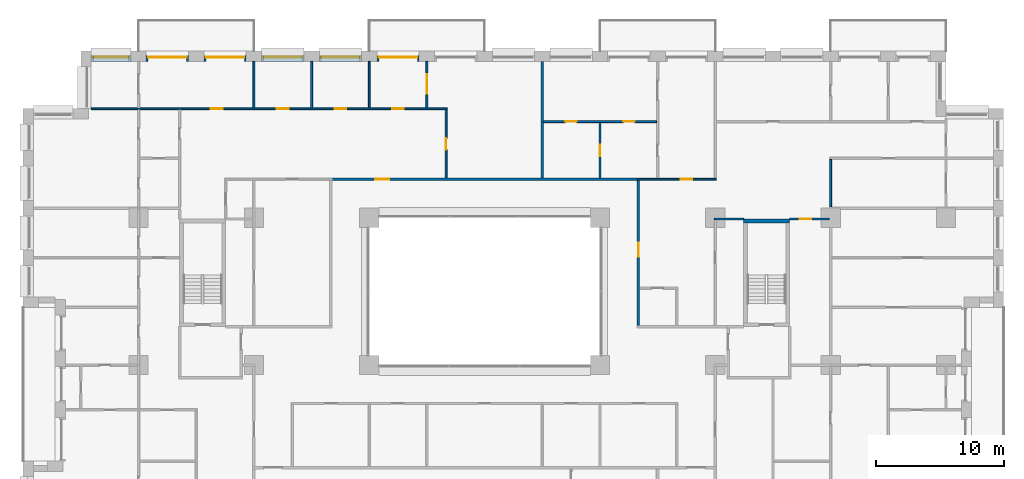
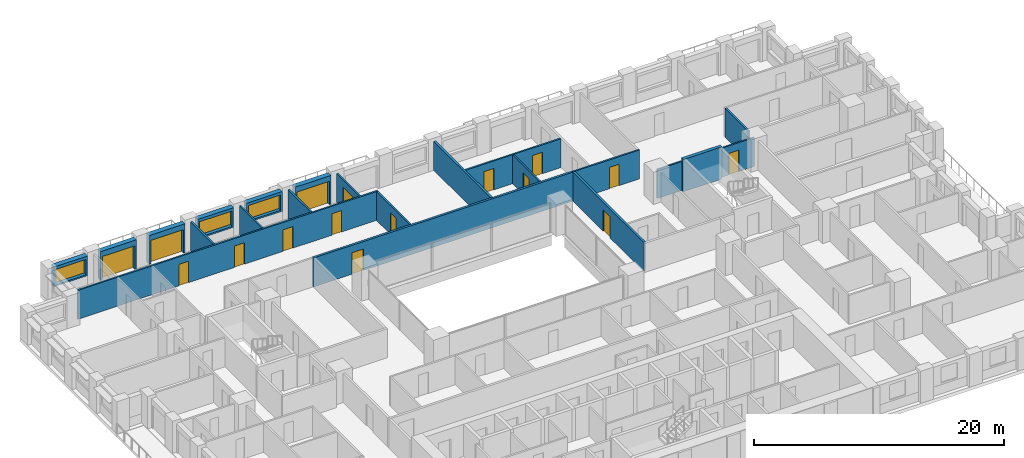
# One storey, part 15 of 20: 22 walls, 16 doors, 3 windows, 19 openings.
"""IFC4 building model written with IfcOpenShell, lengths in metres."""

import ifcopenshell
import ifcopenshell.guid

model = None  # the IFC model being written
_history = None  # IfcOwnerHistory: only IFC2X3 demands one
_inside = {}  # id of a spatial element -> (the spatial element, [elements in it])
_under = {}  # id of a project, library or spatial element -> (it, [spatial elements below it])
_declared = {}  # id of a project -> (the project, [libraries it declares])
_typed = {}  # id of a type object -> (the type object, [elements of that type])
_made_of = {}  # id of a material, layer set ... -> (it, [elements and type objects made of it])


def new_model(schema):
    """Start an empty IFC model of exactly this schema.

    Asked for "IFC4X3", IfcOpenShell would pick the latest addendum, in which some entities
    have other attributes; the version numbers below select the first issue.
    IFC2X3 requires an IfcOwnerHistory on every rooted entity: one is made here for all.
    """
    global model, _history
    if schema == "IFC4X3":
        model = ifcopenshell.file(schema_version=(4, 3, 0, 0))
    else:
        model = ifcopenshell.file(schema=schema)
    _inside.clear()
    _under.clear()
    _declared.clear()
    _typed.clear()
    _made_of.clear()
    _history = None
    if model.schema == "IFC2X3":
        org = make("IfcOrganization", Name="unknown")
        user = make(
            "IfcPersonAndOrganization",
            ThePerson=make("IfcPerson", FamilyName="unknown"),
            TheOrganization=org,
        )
        app = make(
            "IfcApplication",
            ApplicationDeveloper=org,
            Version="unknown",
            ApplicationFullName="unknown",
            ApplicationIdentifier="unknown",
        )
        _history = make(
            "IfcOwnerHistory",
            OwningUser=user,
            OwningApplication=app,
            ChangeAction="ADDED",
            CreationDate=0,
        )
    return model


def make(cls, **values):
    """One entity of the class cls with the attributes given. An attribute that is None is left unset."""
    return model.create_entity(
        cls, **{name: value for name, value in values.items() if value is not None}
    )


def rooted(cls, **values):
    """An entity with a GlobalId (a new one), such as an element, a storey or a relation."""
    return make(cls, GlobalId=ifcopenshell.guid.new(), OwnerHistory=_history, **values)


def si_unit(unit_type, name, prefix=None):
    """IfcSIUnit, for example si_unit("LENGTHUNIT", "METRE", prefix="MILLI")."""
    return make("IfcSIUnit", UnitType=unit_type, Prefix=prefix, Name=name)


def assignment(units):
    """IfcUnitAssignment: the units of a project."""
    return None if units is None else make("IfcUnitAssignment", Units=units)


def point(xyz):
    """IfcCartesianPoint."""
    return None if xyz is None else make("IfcCartesianPoint", Coordinates=xyz)


def direction(xyz):
    """IfcDirection."""
    return None if xyz is None else make("IfcDirection", DirectionRatios=xyz)


def frame(location, z_axis=None, x_axis=None):
    """IfcAxis2Placement3D, a coordinate frame: its origin and axes. An axis left out is left unset."""
    return make(
        "IfcAxis2Placement3D",
        Location=point(location),
        Axis=direction(z_axis),
        RefDirection=direction(x_axis),
    )


def frame_2d(location, x_axis=None):
    """IfcAxis2Placement2D, a coordinate frame in the plane: its origin and x axis."""
    return make(
        "IfcAxis2Placement2D", Location=point(location), RefDirection=direction(x_axis)
    )


def origin():
    """The frame at (0, 0, 0) with its axes left unset."""
    return frame((0.0, 0.0, 0.0))


def place(relative_to, where):
    """IfcLocalPlacement: puts the frame where relative to a parent placement (None: the world)."""
    return make(
        "IfcLocalPlacement", PlacementRelTo=relative_to, RelativePlacement=where
    )


def context(
    kind, dimensions, precision=None, world=None, true_north=None, identifier=None
):
    """IfcGeometricRepresentationContext, for example the 3D "Model" context."""
    return make(
        "IfcGeometricRepresentationContext",
        ContextIdentifier=identifier,
        ContextType=kind,
        CoordinateSpaceDimension=dimensions,
        Precision=precision,
        WorldCoordinateSystem=world,
        TrueNorth=true_north,
    )


def subcontext(parent, identifier, kind, view, scale=None):
    """IfcGeometricRepresentationSubContext, for example "Body" below "Model"."""
    return make(
        "IfcGeometricRepresentationSubContext",
        ContextIdentifier=identifier,
        ContextType=kind,
        ParentContext=parent,
        TargetScale=scale,
        TargetView=view,
    )


def project(units=None, contexts=None):
    """IfcProject with its units and contexts."""
    return rooted(
        "IfcProject",
        Name="project",
        RepresentationContexts=contexts,
        UnitsInContext=assignment(units),
    )


def spatial(cls, under=None, at=None, **own):
    """A site, building, storey or space (cls), placed at a placement, below another one or the project."""
    s = rooted(cls, ObjectPlacement=at, **own)
    if under is not None:
        _under.setdefault(under.id(), (under, []))[1].append(s)
    return s


def profile(cls, at=None, kind="AREA", **sizes):
    """A parametric profile (cls). Its sizes go by their IFC names, for example OverallWidth=200.0."""
    return make(cls, ProfileType=kind, Position=at, **sizes)


def rectangle(**sizes):
    """IfcRectangleProfileDef."""
    return profile("IfcRectangleProfileDef", **sizes)


def extrude(swept, where, along, depth):
    """IfcExtrudedAreaSolid: the profile swept, set in the frame where, extruded along a direction by depth."""
    return make(
        "IfcExtrudedAreaSolid",
        SweptArea=swept,
        Position=where,
        ExtrudedDirection=direction(along),
        Depth=depth,
    )


def shape(context_of_items, identifier, shape_type, items):
    """IfcShapeRepresentation: the items that make up one representation, for example the "Body"."""
    return make(
        "IfcShapeRepresentation",
        ContextOfItems=context_of_items,
        RepresentationIdentifier=identifier,
        RepresentationType=shape_type,
        Items=items,
    )


def material(Name=None, Category=None):
    """IfcMaterial."""
    return make("IfcMaterial", Name=Name, Category=Category)


def layer(
    of_material, thickness, ventilated=None, Name=None, Category=None, Priority=None
):
    """IfcMaterialLayer: one layer of a wall or slab, of a material (None: an air gap)."""
    return make(
        "IfcMaterialLayer",
        Material=of_material,
        LayerThickness=thickness,
        IsVentilated=ventilated,
        Name=Name,
        Category=Category,
        Priority=Priority,
    )


def layer_set(layers, Name=None):
    """IfcMaterialLayerSet."""
    return make("IfcMaterialLayerSet", MaterialLayers=layers, LayerSetName=Name)


def made_of(thing, what):
    """Note that an element or type object is made of a material, layer set ...; save() writes the relation."""
    if what is not None:
        _made_of.setdefault(what.id(), (what, []))[1].append(thing)
    return thing


def type_object(cls, material=None, **own):
    """A type object (cls), such as IfcWallType, which elements share."""
    return made_of(rooted(cls, **own), material)


def element(
    cls,
    number,
    at=None,
    inside=None,
    cuts=None,
    type_object=None,
    material=None,
    context=None,
    identifier="Body",
    shape_type=None,
    held_by="IfcProductDefinitionShape",
    body=None,
    shapes=None,
    **own,
):
    """One element of the class cls, such as IfcWall. Its Tag is "e" and its number.

    at: its placement. inside: the storey or other place that contains it. cuts: it is an
    opening in that element (IfcRelVoidsElement). A single representation is given by context,
    identifier, shape_type and body (its items); several are given by shapes. held_by: the class
    of the entity that holds the representations. save() writes the other relations.
    """
    e = rooted(cls, Tag="e%d" % number, ObjectPlacement=at, **own)
    if body is not None:
        shapes = [shape(context, identifier, shape_type, body)]
    if shapes is not None:
        e.Representation = make(held_by, Representations=shapes)
    if inside is not None:
        _inside.setdefault(inside.id(), (inside, []))[1].append(e)
    if cuts is not None:
        rooted(
            "IfcRelVoidsElement", RelatingBuildingElement=cuts, RelatedOpeningElement=e
        )
    if type_object is not None:
        _typed.setdefault(type_object.id(), (type_object, []))[1].append(e)
    return made_of(e, material)


def fill(opening, filler):
    """IfcRelFillsElement: the door or window that sits in an opening."""
    return rooted(
        "IfcRelFillsElement",
        RelatingOpeningElement=opening,
        RelatedBuildingElement=filler,
    )


def aggregate(whole, parts):
    """IfcRelAggregates: a whole, such as a stair, and the parts it consists of."""
    return rooted("IfcRelAggregates", RelatingObject=whole, RelatedObjects=parts)


def save(model, path):
    """Write the relations noted so far, then the file.

    IfcRelAggregates (storeys below a building ...), IfcRelContainedInSpatialStructure (elements
    in a storey), IfcRelDefinesByType, IfcRelAssociatesMaterial and IfcRelDeclares: one each for
    every whole, place, type object, material and project.
    """
    for whole, parts in _under.values():
        aggregate(whole, parts)
    for where, things in _inside.values():
        rooted(
            "IfcRelContainedInSpatialStructure",
            RelatedElements=things,
            RelatingStructure=where,
        )
    for kind, things in _typed.values():
        rooted("IfcRelDefinesByType", RelatedObjects=things, RelatingType=kind)
    for what, things in _made_of.values():
        rooted("IfcRelAssociatesMaterial", RelatedObjects=things, RelatingMaterial=what)
    for by, libraries in _declared.values():
        rooted("IfcRelDeclares", RelatingContext=by, RelatedDefinitions=libraries)
    model.write(path)


model = new_model("IFC4")

# Units and contexts
model_context = context("Model", 3, precision=1e-05, world=origin(), true_north=direction((0.0, 1.0)))
body_context = subcontext(model_context, "Body", "Model", "MODEL_VIEW")
ifc_project = project(units=[si_unit("LENGTHUNIT", "METRE"), si_unit("AREAUNIT", "SQUARE_METRE"), si_unit("VOLUMEUNIT", "CUBIC_METRE"), si_unit("PLANEANGLEUNIT", "RADIAN"), si_unit("MASSUNIT", "GRAM", prefix="KILO")], contexts=[model_context])

# Site, building, storey
site_placement = place(None, origin())
site = spatial("IfcSite", under=ifc_project, at=site_placement, CompositionType="ELEMENT")
building_placement = place(site_placement, origin())
building = spatial("IfcBuilding", under=site, at=building_placement, Name="Brigalow Station Residences", CompositionType="ELEMENT")
storey_placement = place(building_placement, frame((0.0, 0.0, 44.699951171875)))
storey = spatial("IfcBuildingStorey", under=building, at=storey_placement, Name="L12", CompositionType="ELEMENT", Elevation=44.699951171875)

# Wall, opening, door
ifc_material_1 = material(Name="Clay brick masonry", Category="masonry")
ifc_layer_1 = layer(ifc_material_1, 0.449951171875)
ifc_layer_set_1 = layer_set([ifc_layer_1], Name="BRICK INFILL WALL 450")
wall_type_1 = type_object("IfcWallType", Name="BRICK INFILL WALL 450", PredefinedType="SOLIDWALL", material=ifc_layer_set_1)
wall_1_placement = place(storey_placement, frame((30.89990234375, 47.925048828125, 0.0), z_axis=(0.0, 0.0, 1.0), x_axis=(-1.0, 0.0, 0.0)))
wall_1 = element("IfcWall", 1, at=wall_1_placement, inside=storey, type_object=wall_type_1, Name="L12/ewall/W-L12-34", PredefinedType="SOLIDWALL", context=body_context, shape_type="SweptSolid", body=[
    extrude(rectangle(XDim=3.2998046875, YDim=0.449951171875, at=frame_2d((1.64990234375, 0.0))), origin(), (0.0, 0.0, 1.0), 2.830078125),
])
opening_1_placement = place(wall_1_placement, frame((0.14990234375, 0.0, 0.0)))
opening_1 = element("IfcOpeningElement", 2, at=opening_1_placement, cuts=wall_1, Name="Opening D-B3000", PredefinedType="OPENING", context=body_context, shape_type="SweptSolid", body=[
    extrude(rectangle(XDim=3.0, YDim=2.300048828125, at=frame_2d((1.5, 1.14990234375))), frame((0.0, 0.23486328125, 0.0), z_axis=(0.0, -1.0, 0.0), x_axis=(1.0, 0.0, 0.0)), (0.0, 0.0, 1.0), 0.469970703125),
])
ifc_material_2 = material(Name="Anodised aluminium frame with double glazing", Category="aluminium")
door_type_1 = type_object("IfcDoorType", Name="BALCONY SLIDING DOOR 3000x2300", OperationType="SLIDING_TO_LEFT", PredefinedType="DOOR", material=ifc_material_2)
door_1_placement = place(opening_1_placement, origin())
door_1 = element("IfcDoor", 3, at=door_1_placement, inside=storey, type_object=door_type_1, Name="L12/balcony-door/W-L12-34", OperationType="SLIDING_TO_LEFT", OverallHeight=2.300048828125, OverallWidth=3.0, PredefinedType="DOOR", context=body_context, shape_type="SweptSolid", body=[
    extrude(rectangle(XDim=3.0, YDim=2.300048828125, at=frame_2d((1.5, 1.14990234375))), frame((0.0, -0.06982421875, 0.0), z_axis=(0.0, -1.0, 0.0), x_axis=(1.0, 0.0, 0.0)), (0.0, 0.0, 1.0), 0.050048828125),
])
fill(opening_1, door_1)

# Wall, opening, window
wall_2_placement = place(storey_placement, frame((26.39990234375, 47.925048828125, 0.900146484375), z_axis=(0.0, 0.0, 1.0), x_axis=(-1.0, 0.0, 0.0)))
wall_2 = element("IfcWall", 4, at=wall_2_placement, inside=storey, type_object=wall_type_1, Name="L12/ewall/W-L12-35", PredefinedType="SOLIDWALL", context=body_context, shape_type="SweptSolid", body=[
    extrude(rectangle(XDim=3.2998046875, YDim=0.449951171875, at=frame_2d((1.64990234375, 0.0))), origin(), (0.0, 0.0, 1.0), 1.929931640625),
])
opening_2_placement = place(wall_2_placement, frame((0.14990234375, 0.0, 0.14990234375)))
opening_2 = element("IfcOpeningElement", 5, at=opening_2_placement, cuts=wall_2, Name="Opening WT-2", PredefinedType="OPENING", context=body_context, shape_type="SweptSolid", body=[
    extrude(rectangle(XDim=3.0, YDim=1.5, at=frame_2d((1.5, 0.75))), frame((0.0, 0.23486328125, 0.0), z_axis=(0.0, -1.0, 0.0), x_axis=(1.0, 0.0, 0.0)), (0.0, 0.0, 1.0), 0.469970703125),
])
ifc_material_3 = material(Name="Anodised aluminium frame with double glazing", Category="aluminium")
window_type_1 = type_object("IfcWindowType", Name="WINDOW 3000x1500", PartitioningType="SINGLE_PANEL", PredefinedType="WINDOW", material=ifc_material_3)
window_1_placement = place(opening_2_placement, origin())
window_1 = element("IfcWindow", 6, at=window_1_placement, inside=storey, type_object=window_type_1, Name="L12/window/W-L12-35", OverallHeight=1.5, OverallWidth=3.0, PartitioningType="SINGLE_PANEL", PredefinedType="WINDOW", context=body_context, shape_type="SweptSolid", body=[
    extrude(rectangle(XDim=3.0, YDim=1.5, at=frame_2d((1.5, 0.75))), frame((0.0, -0.06494140625, 0.0), z_axis=(0.0, -1.0, 0.0), x_axis=(1.0, 0.0, 0.0)), (0.0, 0.0, 1.0), 0.06005859375),
])
fill(opening_2, window_1)

wall_3_placement = place(storey_placement, frame((21.89990234375, 47.925048828125, 0.900146484375), z_axis=(0.0, 0.0, 1.0), x_axis=(-1.0, 0.0, 0.0)))
wall_3 = element("IfcWall", 7, at=wall_3_placement, inside=storey, type_object=wall_type_1, Name="L12/ewall/W-L12-36", PredefinedType="SOLIDWALL", context=body_context, shape_type="SweptSolid", body=[
    extrude(rectangle(XDim=3.2998046875, YDim=0.449951171875, at=frame_2d((1.64990234375, 0.0))), origin(), (0.0, 0.0, 1.0), 1.929931640625),
])
opening_3_placement = place(wall_3_placement, frame((0.14990234375, 0.0, 0.14990234375)))
opening_3 = element("IfcOpeningElement", 8, at=opening_3_placement, cuts=wall_3, Name="Opening WT-2", PredefinedType="OPENING", context=body_context, shape_type="SweptSolid", body=[
    extrude(rectangle(XDim=3.0, YDim=1.5, at=frame_2d((1.5, 0.75))), frame((0.0, 0.23486328125, 0.0), z_axis=(0.0, -1.0, 0.0), x_axis=(1.0, 0.0, 0.0)), (0.0, 0.0, 1.0), 0.469970703125),
])
window_2_placement = place(opening_3_placement, origin())
window_2 = element("IfcWindow", 9, at=window_2_placement, inside=storey, type_object=window_type_1, Name="L12/window/W-L12-36", OverallHeight=1.5, OverallWidth=3.0, PartitioningType="SINGLE_PANEL", PredefinedType="WINDOW", context=body_context, shape_type="SweptSolid", body=[
    extrude(rectangle(XDim=3.0, YDim=1.5, at=frame_2d((1.5, 0.75))), frame((0.0, -0.06494140625, 0.0), z_axis=(0.0, -1.0, 0.0), x_axis=(1.0, 0.0, 0.0)), (0.0, 0.0, 1.0), 0.06005859375),
])
fill(opening_3, window_2)

# Wall, opening, door
wall_4_placement = place(storey_placement, frame((17.39990234375, 47.925048828125, 0.0), z_axis=(0.0, 0.0, 1.0), x_axis=(-1.0, 0.0, 0.0)))
wall_4 = element("IfcWall", 10, at=wall_4_placement, inside=storey, type_object=wall_type_1, Name="L12/ewall/W-L12-37", PredefinedType="SOLIDWALL", context=body_context, shape_type="SweptSolid", body=[
    extrude(rectangle(XDim=3.2998046875, YDim=0.449951171875, at=frame_2d((1.64990234375, 0.0))), origin(), (0.0, 0.0, 1.0), 2.830078125),
])
opening_4_placement = place(wall_4_placement, frame((0.14990234375, 0.0, 0.0)))
opening_4 = element("IfcOpeningElement", 11, at=opening_4_placement, cuts=wall_4, Name="Opening D-B3000", PredefinedType="OPENING", context=body_context, shape_type="SweptSolid", body=[
    extrude(rectangle(XDim=3.0, YDim=2.300048828125, at=frame_2d((1.5, 1.14990234375))), frame((0.0, 0.23486328125, 0.0), z_axis=(0.0, -1.0, 0.0), x_axis=(1.0, 0.0, 0.0)), (0.0, 0.0, 1.0), 0.469970703125),
])
door_2_placement = place(opening_4_placement, origin())
door_2 = element("IfcDoor", 12, at=door_2_placement, inside=storey, type_object=door_type_1, Name="L12/balcony-door/W-L12-37", OperationType="SLIDING_TO_LEFT", OverallHeight=2.300048828125, OverallWidth=3.0, PredefinedType="DOOR", context=body_context, shape_type="SweptSolid", body=[
    extrude(rectangle(XDim=3.0, YDim=2.300048828125, at=frame_2d((1.5, 1.14990234375))), frame((0.0, -0.06982421875, 0.0), z_axis=(0.0, -1.0, 0.0), x_axis=(1.0, 0.0, 0.0)), (0.0, 0.0, 1.0), 0.050048828125),
])
fill(opening_4, door_2)

wall_5_placement = place(storey_placement, frame((12.89990234375, 47.925048828125, 0.0), z_axis=(0.0, 0.0, 1.0), x_axis=(-1.0, 0.0, 0.0)))
wall_5 = element("IfcWall", 13, at=wall_5_placement, inside=storey, type_object=wall_type_1, Name="L12/ewall/W-L12-38", PredefinedType="SOLIDWALL", context=body_context, shape_type="SweptSolid", body=[
    extrude(rectangle(XDim=3.2998046875, YDim=0.449951171875, at=frame_2d((1.64990234375, 0.0))), origin(), (0.0, 0.0, 1.0), 2.830078125),
])
opening_5_placement = place(wall_5_placement, frame((0.14990234375, 0.0, 0.0)))
opening_5 = element("IfcOpeningElement", 14, at=opening_5_placement, cuts=wall_5, Name="Opening D-B3000", PredefinedType="OPENING", context=body_context, shape_type="SweptSolid", body=[
    extrude(rectangle(XDim=3.0, YDim=2.300048828125, at=frame_2d((1.5, 1.14990234375))), frame((0.0, 0.23486328125, 0.0), z_axis=(0.0, -1.0, 0.0), x_axis=(1.0, 0.0, 0.0)), (0.0, 0.0, 1.0), 0.469970703125),
])
door_3_placement = place(opening_5_placement, origin())
door_3 = element("IfcDoor", 15, at=door_3_placement, inside=storey, type_object=door_type_1, Name="L12/balcony-door/W-L12-38", OperationType="SLIDING_TO_LEFT", OverallHeight=2.300048828125, OverallWidth=3.0, PredefinedType="DOOR", context=body_context, shape_type="SweptSolid", body=[
    extrude(rectangle(XDim=3.0, YDim=2.300048828125, at=frame_2d((1.5, 1.14990234375))), frame((0.0, -0.06982421875, 0.0), z_axis=(0.0, -1.0, 0.0), x_axis=(1.0, 0.0, 0.0)), (0.0, 0.0, 1.0), 0.050048828125),
])
fill(opening_5, door_3)

# Wall, opening, window
wall_6_placement = place(storey_placement, frame((8.39990234375, 47.925048828125, 0.900146484375), z_axis=(0.0, 0.0, 1.0), x_axis=(-1.0, 0.0, 0.0)))
wall_6 = element("IfcWall", 16, at=wall_6_placement, inside=storey, type_object=wall_type_1, Name="L12/ewall/W-L12-39", PredefinedType="SOLIDWALL", context=body_context, shape_type="SweptSolid", body=[
    extrude(rectangle(XDim=3.099853515625, YDim=0.449951171875, at=frame_2d((1.5498046875, 0.0))), origin(), (0.0, 0.0, 1.0), 1.929931640625),
])
opening_6_placement = place(wall_6_placement, frame((0.175048828125, 0.0, 0.14990234375)))
opening_6 = element("IfcOpeningElement", 17, at=opening_6_placement, cuts=wall_6, Name="Opening WT-3", PredefinedType="OPENING", context=body_context, shape_type="SweptSolid", body=[
    extrude(rectangle(XDim=2.75, YDim=1.5, at=frame_2d((1.375, 0.75))), frame((0.0, 0.23486328125, 0.0), z_axis=(0.0, -1.0, 0.0), x_axis=(1.0, 0.0, 0.0)), (0.0, 0.0, 1.0), 0.469970703125),
])
ifc_material_4 = material(Name="Anodised aluminium frame with double glazing", Category="aluminium")
window_type_2 = type_object("IfcWindowType", Name="WINDOW 2750x1500", PartitioningType="SINGLE_PANEL", PredefinedType="WINDOW", material=ifc_material_4)
window_3_placement = place(opening_6_placement, origin())
window_3 = element("IfcWindow", 18, at=window_3_placement, inside=storey, type_object=window_type_2, Name="L12/window/W-L12-39", OverallHeight=1.5, OverallWidth=2.75, PartitioningType="SINGLE_PANEL", PredefinedType="WINDOW", context=body_context, shape_type="SweptSolid", body=[
    extrude(rectangle(XDim=2.75, YDim=1.5, at=frame_2d((1.375, 0.75))), frame((0.0, -0.06494140625, 0.0), z_axis=(0.0, -1.0, 0.0), x_axis=(1.0, 0.0, 0.0)), (0.0, 0.0, 1.0), 0.06005859375),
])
fill(opening_6, window_3)

# Wall
ifc_material_5 = material(Name="Concrete C80", Category="concrete")
ifc_layer_2 = layer(ifc_material_5, 0.300048828125)
ifc_layer_set_2 = layer_set([ifc_layer_2], Name="CORE SHEAR WALL 300 C80")
wall_type_2 = type_object("IfcWallType", Name="CORE SHEAR WALL 300 C80", PredefinedType="SHEAR", material=ifc_layer_set_2)
wall_7_placement = place(storey_placement, frame((56.199951171875, 35.25, 0.0), z_axis=(0.0, 0.0, 1.0), x_axis=(1.0, 0.0, 0.0)))
element("IfcWall", 19, at=wall_7_placement, inside=storey, type_object=wall_type_2, Name="CORE WALL ST-S3-N L12", PredefinedType="SHEAR", context=body_context, shape_type="SweptSolid", body=[
    extrude(rectangle(XDim=3.60009765625, YDim=0.300048828125, at=frame_2d((1.800048828125, 0.0))), origin(), (0.0, 0.0, 1.0), 3.150146484375),
])

# Wall, opening, door
ifc_material_6 = material(Name="Plasterboard on steel stud partition", Category="steel")
ifc_layer_3 = layer(ifc_material_6, 0.14990234375)
ifc_layer_set_3 = layer_set([ifc_layer_3], Name="FLAT PARTITION 150")
wall_type_3 = type_object("IfcWallType", Name="FLAT PARTITION 150", PredefinedType="PARTITIONING", material=ifc_layer_set_3)
wall_8_placement = place(storey_placement, frame((47.89990234375, 38.5, 0.0), z_axis=(0.0, 0.0, 1.0), x_axis=(1.0, 0.0, 0.0)))
wall_8 = element("IfcWall", 20, at=wall_8_placement, inside=storey, type_object=wall_type_3, Name="PW-1C10", PredefinedType="PARTITIONING", context=body_context, shape_type="SweptSolid", body=[
    extrude(rectangle(XDim=6.175048828125, YDim=0.14990234375, at=frame_2d((3.08740234375, 0.0))), origin(), (0.0, 0.0, 1.0), 2.830078125),
])
opening_7_placement = place(wall_8_placement, frame((3.39990234375, 0.0, 0.0)))
opening_7 = element("IfcOpeningElement", 21, at=opening_7_placement, cuts=wall_8, Name="Opening D-1C39", PredefinedType="OPENING", context=body_context, shape_type="SweptSolid", body=[
    extrude(rectangle(XDim=0.89990234375, YDim=2.10009765625, at=frame_2d((0.449951171875, 1.050048828125))), frame((0.0, 0.0849609375, 0.0), z_axis=(0.0, -1.0, 0.0), x_axis=(1.0, 0.0, 0.0)), (0.0, 0.0, 1.0), 0.169921875),
])
ifc_material_7 = material(Name="Solid-core timber door leaf", Category="wood")
door_type_2 = type_object("IfcDoorType", Name="INTERNAL DOOR 900 x 2100", OperationType="SINGLE_SWING_LEFT", PredefinedType="DOOR", material=ifc_material_7)
door_4_placement = place(opening_7_placement, origin())
door_4 = element("IfcDoor", 22, at=door_4_placement, inside=storey, type_object=door_type_2, Name="D-1C39", OperationType="SINGLE_SWING_RIGHT", OverallHeight=2.10009765625, OverallWidth=0.89990234375, PredefinedType="DOOR", context=body_context, shape_type="SweptSolid", body=[
    extrude(rectangle(XDim=0.89990234375, YDim=2.10009765625, at=frame_2d((0.449951171875, 1.050048828125))), frame((0.0, 0.02490234375, 0.0), z_axis=(0.0, -1.0, 0.0), x_axis=(1.0, 0.0, 0.0)), (0.0, 0.0, 1.0), 0.050048828125),
])
fill(opening_7, door_4)

# Wall, openings, doors
wall_9_placement = place(storey_placement, frame((5.300048828125, 44.0, 0.0), z_axis=(0.0, 0.0, 1.0), x_axis=(1.0, 0.0, 0.0)))
wall_9 = element("IfcWall", 23, at=wall_9_placement, inside=storey, type_object=wall_type_3, Name="PW-1C27", PredefinedType="PARTITIONING", context=body_context, shape_type="SweptSolid", body=[
    extrude(rectangle(XDim=27.77490234375, YDim=0.14990234375, at=frame_2d((13.887451171875, 0.0))), origin(), (0.0, 0.0, 1.0), 2.830078125),
])
opening_8_placement = place(wall_9_placement, frame((14.5, 0.0, 0.0)))
opening_8 = element("IfcOpeningElement", 24, at=opening_8_placement, cuts=wall_9, Name="Opening D-1C18", PredefinedType="OPENING", context=body_context, shape_type="SweptSolid", body=[
    extrude(rectangle(XDim=0.89990234375, YDim=2.10009765625, at=frame_2d((0.449951171875, 1.050048828125))), frame((0.0, 0.0849609375, 0.0), z_axis=(0.0, -1.0, 0.0), x_axis=(1.0, 0.0, 0.0)), (0.0, 0.0, 1.0), 0.169921875),
])
opening_9_placement = place(wall_9_placement, frame((19.0, 0.0, 0.0)))
opening_9 = element("IfcOpeningElement", 25, at=opening_9_placement, cuts=wall_9, Name="Opening D-1C19", PredefinedType="OPENING", context=body_context, shape_type="SweptSolid", body=[
    extrude(rectangle(XDim=0.89990234375, YDim=2.10009765625, at=frame_2d((0.449951171875, 1.050048828125))), frame((0.0, 0.0849609375, 0.0), z_axis=(0.0, -1.0, 0.0), x_axis=(1.0, 0.0, 0.0)), (0.0, 0.0, 1.0), 0.169921875),
])
opening_10_placement = place(wall_9_placement, frame((9.35009765625, 0.0, 0.0)))
opening_10 = element("IfcOpeningElement", 26, at=opening_10_placement, cuts=wall_9, Name="Opening D-1C20", PredefinedType="OPENING", context=body_context, shape_type="SweptSolid", body=[
    extrude(rectangle(XDim=0.89990234375, YDim=2.10009765625, at=frame_2d((0.449951171875, 1.050048828125))), frame((0.0, 0.0849609375, 0.0), z_axis=(0.0, -1.0, 0.0), x_axis=(1.0, 0.0, 0.0)), (0.0, 0.0, 1.0), 0.169921875),
])
opening_11_placement = place(wall_9_placement, frame((23.5, 0.0, 0.0)))
opening_11 = element("IfcOpeningElement", 27, at=opening_11_placement, cuts=wall_9, Name="Opening D-1C29", PredefinedType="OPENING", context=body_context, shape_type="SweptSolid", body=[
    extrude(rectangle(XDim=0.89990234375, YDim=2.10009765625, at=frame_2d((0.449951171875, 1.050048828125))), frame((0.0, 0.0849609375, 0.0), z_axis=(0.0, -1.0, 0.0), x_axis=(1.0, 0.0, 0.0)), (0.0, 0.0, 1.0), 0.169921875),
])
door_5_placement = place(opening_8_placement, origin())
door_5 = element("IfcDoor", 28, at=door_5_placement, inside=storey, type_object=door_type_2, Name="D-1C18", OperationType="SINGLE_SWING_LEFT", OverallHeight=2.10009765625, OverallWidth=0.89990234375, PredefinedType="DOOR", context=body_context, shape_type="SweptSolid", body=[
    extrude(rectangle(XDim=0.89990234375, YDim=2.10009765625, at=frame_2d((0.449951171875, 1.050048828125))), frame((0.0, 0.02490234375, 0.0), z_axis=(0.0, -1.0, 0.0), x_axis=(1.0, 0.0, 0.0)), (0.0, 0.0, 1.0), 0.050048828125),
])
fill(opening_8, door_5)
door_6_placement = place(opening_9_placement, origin())
door_6 = element("IfcDoor", 29, at=door_6_placement, inside=storey, type_object=door_type_2, Name="D-1C19", OperationType="SINGLE_SWING_RIGHT", OverallHeight=2.10009765625, OverallWidth=0.89990234375, PredefinedType="DOOR", context=body_context, shape_type="SweptSolid", body=[
    extrude(rectangle(XDim=0.89990234375, YDim=2.10009765625, at=frame_2d((0.449951171875, 1.050048828125))), frame((0.0, 0.02490234375, 0.0), z_axis=(0.0, -1.0, 0.0), x_axis=(1.0, 0.0, 0.0)), (0.0, 0.0, 1.0), 0.050048828125),
])
fill(opening_9, door_6)
door_7_placement = place(opening_10_placement, origin())
door_7 = element("IfcDoor", 30, at=door_7_placement, inside=storey, type_object=door_type_2, Name="D-1C20", OperationType="SINGLE_SWING_RIGHT", OverallHeight=2.10009765625, OverallWidth=0.89990234375, PredefinedType="DOOR", context=body_context, shape_type="SweptSolid", body=[
    extrude(rectangle(XDim=0.89990234375, YDim=2.10009765625, at=frame_2d((0.449951171875, 1.050048828125))), frame((0.0, 0.02490234375, 0.0), z_axis=(0.0, -1.0, 0.0), x_axis=(1.0, 0.0, 0.0)), (0.0, 0.0, 1.0), 0.050048828125),
])
fill(opening_10, door_7)
door_8_placement = place(opening_11_placement, origin())
door_8 = element("IfcDoor", 31, at=door_8_placement, inside=storey, type_object=door_type_2, Name="D-1C29", OperationType="SINGLE_SWING_RIGHT", OverallHeight=2.10009765625, OverallWidth=0.89990234375, PredefinedType="DOOR", context=body_context, shape_type="SweptSolid", body=[
    extrude(rectangle(XDim=0.89990234375, YDim=2.10009765625, at=frame_2d((0.449951171875, 1.050048828125))), frame((0.0, 0.02490234375, 0.0), z_axis=(0.0, -1.0, 0.0), x_axis=(1.0, 0.0, 0.0)), (0.0, 0.0, 1.0), 0.050048828125),
])
fill(opening_11, door_8)

# Wall
wall_10_placement = place(storey_placement, frame((53.925048828125, 35.39990234375, 0.0), z_axis=(0.0, 0.0, 1.0), x_axis=(1.0, 0.0, 0.0)))
element("IfcWall", 32, at=wall_10_placement, inside=storey, type_object=wall_type_3, Name="PW-1C30", PredefinedType="PARTITIONING", context=body_context, shape_type="SweptSolid", body=[
    extrude(rectangle(XDim=2.27490234375, YDim=0.14990234375, at=frame_2d((1.137451171875, 0.0))), origin(), (0.0, 0.0, 1.0), 2.830078125),
])

# Wall, opening, door
wall_11_placement = place(storey_placement, frame((59.800048828125, 35.39990234375, 0.0), z_axis=(0.0, 0.0, 1.0), x_axis=(1.0, 0.0, 0.0)))
wall_11 = element("IfcWall", 33, at=wall_11_placement, inside=storey, type_object=wall_type_3, Name="PW-1C31", PredefinedType="PARTITIONING", context=body_context, shape_type="SweptSolid", body=[
    extrude(rectangle(XDim=3.099853515625, YDim=0.14990234375, at=frame_2d((1.5498046875, 0.0))), origin(), (0.0, 0.0, 1.0), 2.830078125),
])
opening_12_placement = place(wall_11_placement, frame((0.77490234375, 0.0, 0.0)))
opening_12 = element("IfcOpeningElement", 34, at=opening_12_placement, cuts=wall_11, Name="Opening D-1C44", PredefinedType="OPENING", context=body_context, shape_type="SweptSolid", body=[
    extrude(rectangle(XDim=0.89990234375, YDim=2.10009765625, at=frame_2d((0.449951171875, 1.050048828125))), frame((0.0, 0.0849609375, 0.0), z_axis=(0.0, -1.0, 0.0), x_axis=(1.0, 0.0, 0.0)), (0.0, 0.0, 1.0), 0.169921875),
])
door_9_placement = place(opening_12_placement, frame((0.89990234375, 0.0, 0.0), z_axis=(0.0, 0.0, 1.0), x_axis=(-1.0, 0.0, 0.0)))
door_9 = element("IfcDoor", 35, at=door_9_placement, inside=storey, type_object=door_type_2, Name="D-1C44", OperationType="SINGLE_SWING_RIGHT", OverallHeight=2.10009765625, OverallWidth=0.89990234375, PredefinedType="DOOR", context=body_context, shape_type="SweptSolid", body=[
    extrude(rectangle(XDim=0.89990234375, YDim=2.10009765625, at=frame_2d((0.449951171875, 1.050048828125))), frame((0.0, 0.02490234375, 0.0), z_axis=(0.0, -1.0, 0.0), x_axis=(1.0, 0.0, 0.0)), (0.0, 0.0, 1.0), 0.050048828125),
])
fill(opening_12, door_9)

# Wall, openings, doors
wall_12_placement = place(storey_placement, frame((40.60009765625, 43.0, 0.0), z_axis=(0.0, 0.0, 1.0), x_axis=(1.0, 0.0, 0.0)))
wall_12 = element("IfcWall", 36, at=wall_12_placement, inside=storey, type_object=wall_type_3, Name="PW-1C35", PredefinedType="PARTITIONING", context=body_context, shape_type="SweptSolid", body=[
    extrude(rectangle(XDim=8.824951171875, YDim=0.14990234375, at=frame_2d((4.41259765625, 0.0))), origin(), (0.0, 0.0, 1.0), 2.830078125),
])
opening_13_placement = place(wall_12_placement, frame((1.699951171875, 0.0, 0.0)))
opening_13 = element("IfcOpeningElement", 37, at=opening_13_placement, cuts=wall_12, Name="Opening D-1C35", PredefinedType="OPENING", context=body_context, shape_type="SweptSolid", body=[
    extrude(rectangle(XDim=0.89990234375, YDim=2.10009765625, at=frame_2d((0.449951171875, 1.050048828125))), frame((0.0, 0.0849609375, 0.0), z_axis=(0.0, -1.0, 0.0), x_axis=(1.0, 0.0, 0.0)), (0.0, 0.0, 1.0), 0.169921875),
])
opening_14_placement = place(wall_12_placement, frame((6.199951171875, 0.0, 0.0)))
opening_14 = element("IfcOpeningElement", 38, at=opening_14_placement, cuts=wall_12, Name="Opening D-1C37", PredefinedType="OPENING", context=body_context, shape_type="SweptSolid", body=[
    extrude(rectangle(XDim=0.89990234375, YDim=2.10009765625, at=frame_2d((0.449951171875, 1.050048828125))), frame((0.0, 0.0849609375, 0.0), z_axis=(0.0, -1.0, 0.0), x_axis=(1.0, 0.0, 0.0)), (0.0, 0.0, 1.0), 0.169921875),
])
door_10_placement = place(opening_13_placement, frame((0.89990234375, 0.0, 0.0), z_axis=(0.0, 0.0, 1.0), x_axis=(-1.0, 0.0, 0.0)))
door_10 = element("IfcDoor", 39, at=door_10_placement, inside=storey, type_object=door_type_2, Name="D-1C35", OperationType="SINGLE_SWING_RIGHT", OverallHeight=2.10009765625, OverallWidth=0.89990234375, PredefinedType="DOOR", context=body_context, shape_type="SweptSolid", body=[
    extrude(rectangle(XDim=0.89990234375, YDim=2.10009765625, at=frame_2d((0.449951171875, 1.050048828125))), frame((0.0, 0.02490234375, 0.0), z_axis=(0.0, -1.0, 0.0), x_axis=(1.0, 0.0, 0.0)), (0.0, 0.0, 1.0), 0.050048828125),
])
fill(opening_13, door_10)
door_11_placement = place(opening_14_placement, frame((0.89990234375, 0.0, 0.0), z_axis=(0.0, 0.0, 1.0), x_axis=(-1.0, 0.0, 0.0)))
door_11 = element("IfcDoor", 40, at=door_11_placement, inside=storey, type_object=door_type_2, Name="D-1C37", OperationType="SINGLE_SWING_RIGHT", OverallHeight=2.10009765625, OverallWidth=0.89990234375, PredefinedType="DOOR", context=body_context, shape_type="SweptSolid", body=[
    extrude(rectangle(XDim=0.89990234375, YDim=2.10009765625, at=frame_2d((0.449951171875, 1.050048828125))), frame((0.0, 0.02490234375, 0.0), z_axis=(0.0, -1.0, 0.0), x_axis=(1.0, 0.0, 0.0)), (0.0, 0.0, 1.0), 0.050048828125),
])
fill(opening_14, door_11)

# Wall
wall_13_placement = place(storey_placement, frame((18.0, 44.074951171875, 0.0), z_axis=(0.0, 0.0, 1.0), x_axis=(0.0, 1.0, 0.0)))
element("IfcWall", 41, at=wall_13_placement, inside=storey, type_object=wall_type_3, Name="PW-1C39", PredefinedType="PARTITIONING", context=body_context, shape_type="SweptSolid", body=[
    extrude(rectangle(XDim=3.625, YDim=0.14990234375, at=frame_2d((1.8125, 0.0))), origin(), (0.0, 0.0, 1.0), 2.830078125),
])

# Wall, opening, door
wall_14_placement = place(storey_placement, frame((33.0, 38.60009765625, 0.0), z_axis=(0.0, 0.0, 1.0), x_axis=(0.0, 1.0, 0.0)))
wall_14 = element("IfcWall", 42, at=wall_14_placement, inside=storey, type_object=wall_type_3, Name="PW-1C60", PredefinedType="PARTITIONING", context=body_context, shape_type="SweptSolid", body=[
    extrude(rectangle(XDim=5.324951171875, YDim=0.14990234375, at=frame_2d((2.66259765625, 0.0))), origin(), (0.0, 0.0, 1.0), 2.830078125),
])
opening_15_placement = place(wall_14_placement, frame((2.199951171875, 0.0, 0.0)))
opening_15 = element("IfcOpeningElement", 43, at=opening_15_placement, cuts=wall_14, Name="Opening D-1C26", PredefinedType="OPENING", context=body_context, shape_type="SweptSolid", body=[
    extrude(rectangle(XDim=0.89990234375, YDim=2.10009765625, at=frame_2d((0.449951171875, 1.050048828125))), frame((0.0, 0.0849609375, 0.0), z_axis=(0.0, -1.0, 0.0), x_axis=(1.0, 0.0, 0.0)), (0.0, 0.0, 1.0), 0.169921875),
])
door_12_placement = place(opening_15_placement, frame((0.89990234375, 0.0, 0.0), z_axis=(0.0, 0.0, 1.0), x_axis=(-1.0, 0.0, 0.0)))
door_12 = element("IfcDoor", 44, at=door_12_placement, inside=storey, type_object=door_type_2, Name="D-1C26", OperationType="SINGLE_SWING_RIGHT", OverallHeight=2.10009765625, OverallWidth=0.89990234375, PredefinedType="DOOR", context=body_context, shape_type="SweptSolid", body=[
    extrude(rectangle(XDim=0.89990234375, YDim=2.10009765625, at=frame_2d((0.449951171875, 1.050048828125))), frame((0.0, 0.02490234375, 0.0), z_axis=(0.0, -1.0, 0.0), x_axis=(1.0, 0.0, 0.0)), (0.0, 0.0, 1.0), 0.050048828125),
])
fill(opening_15, door_12)

# Walls
for number, where, z_axis, x_axis, name in (
    (45, (22.5, 44.074951171875, 0.0), (0.0, 0.0, 1.0), (0.0, 1.0, 0.0), "PW-1C62"),
    (46, (27.0, 44.074951171875, 0.0), (0.0, 0.0, 1.0), (0.0, 1.0, 0.0), "PW-1C64"),
):
    element("IfcWall", number, at=place(storey_placement, frame(where, z_axis=z_axis, x_axis=x_axis)), inside=storey, type_object=wall_type_3, Name=name, PredefinedType="PARTITIONING", context=body_context, shape_type="SweptSolid", body=[
        extrude(rectangle(XDim=3.625, YDim=0.14990234375, at=frame_2d((1.8125, 0.0))), origin(), (0.0, 0.0, 1.0), 2.830078125),
    ])

# Wall, opening, door
wall_15_placement = place(storey_placement, frame((31.5, 44.074951171875, 0.0), z_axis=(0.0, 0.0, 1.0), x_axis=(0.0, 1.0, 0.0)))
wall_15 = element("IfcWall", 47, at=wall_15_placement, inside=storey, type_object=wall_type_3, Name="PW-1C66", PredefinedType="PARTITIONING", context=body_context, shape_type="SweptSolid", body=[
    extrude(rectangle(XDim=3.625, YDim=0.14990234375, at=frame_2d((1.8125, 0.0))), origin(), (0.0, 0.0, 1.0), 2.830078125),
])
opening_16_placement = place(wall_15_placement, frame((1.10009765625, 0.0, 0.0)))
opening_16 = element("IfcOpeningElement", 48, at=opening_16_placement, cuts=wall_15, Name="Opening D-1C27", PredefinedType="OPENING", context=body_context, shape_type="SweptSolid", body=[
    extrude(rectangle(XDim=1.5, YDim=2.10009765625, at=frame_2d((0.75, 1.050048828125))), frame((0.0, 0.0849609375, 0.0), z_axis=(0.0, -1.0, 0.0), x_axis=(1.0, 0.0, 0.0)), (0.0, 0.0, 1.0), 0.169921875),
])
ifc_material_8 = material(Name="Solid-core timber door leaf", Category="wood")
door_type_3 = type_object("IfcDoorType", Name="INTERNAL DOUBLE DOOR 1500 x 2100", OperationType="DOUBLE_DOOR_SINGLE_SWING", PredefinedType="DOOR", material=ifc_material_8)
door_13_placement = place(opening_16_placement, origin())
door_13 = element("IfcDoor", 49, at=door_13_placement, inside=storey, type_object=door_type_3, Name="D-1C27", OperationType="DOUBLE_DOOR_SINGLE_SWING", OverallHeight=2.10009765625, OverallWidth=1.5, PredefinedType="DOOR", context=body_context, shape_type="SweptSolid", body=[
    extrude(rectangle(XDim=1.5, YDim=2.10009765625, at=frame_2d((0.75, 1.050048828125))), frame((0.0, 0.02490234375, 0.0), z_axis=(0.0, -1.0, 0.0), x_axis=(1.0, 0.0, 0.0)), (0.0, 0.0, 1.0), 0.050048828125),
])
fill(opening_16, door_13)

# Wall
wall_16_placement = place(storey_placement, frame((63.0, 36.35009765625, 0.0), z_axis=(0.0, 0.0, 1.0), x_axis=(0.0, 1.0, 0.0)))
element("IfcWall", 50, at=wall_16_placement, inside=storey, type_object=wall_type_3, Name="PW-1C71", PredefinedType="PARTITIONING", context=body_context, shape_type="SweptSolid", body=[
    extrude(rectangle(XDim=3.699951171875, YDim=0.14990234375, at=frame_2d((1.85009765625, 0.0))), origin(), (0.0, 0.0, 1.0), 2.830078125),
])

# Wall, opening, door
wall_17_placement = place(storey_placement, frame((45.0, 38.60009765625, 0.0), z_axis=(0.0, 0.0, 1.0), x_axis=(0.0, 1.0, 0.0)))
wall_17 = element("IfcWall", 51, at=wall_17_placement, inside=storey, type_object=wall_type_3, Name="PW-1C82", PredefinedType="PARTITIONING", context=body_context, shape_type="SweptSolid", body=[
    extrude(rectangle(XDim=4.324951171875, YDim=0.14990234375, at=frame_2d((2.16259765625, 0.0))), origin(), (0.0, 0.0, 1.0), 2.830078125),
])
opening_17_placement = place(wall_17_placement, frame((1.699951171875, 0.0, 0.0)))
opening_17 = element("IfcOpeningElement", 52, at=opening_17_placement, cuts=wall_17, Name="Opening D-1C46", PredefinedType="OPENING", context=body_context, shape_type="SweptSolid", body=[
    extrude(rectangle(XDim=0.89990234375, YDim=2.10009765625, at=frame_2d((0.449951171875, 1.050048828125))), frame((0.0, 0.0849609375, 0.0), z_axis=(0.0, -1.0, 0.0), x_axis=(1.0, 0.0, 0.0)), (0.0, 0.0, 1.0), 0.169921875),
])
door_14_placement = place(opening_17_placement, frame((0.89990234375, 0.0, 0.0), z_axis=(0.0, 0.0, 1.0), x_axis=(-1.0, 0.0, 0.0)))
door_14 = element("IfcDoor", 53, at=door_14_placement, inside=storey, type_object=door_type_2, Name="D-1C46", OperationType="SINGLE_SWING_RIGHT", OverallHeight=2.10009765625, OverallWidth=0.89990234375, PredefinedType="DOOR", context=body_context, shape_type="SweptSolid", body=[
    extrude(rectangle(XDim=0.89990234375, YDim=2.10009765625, at=frame_2d((0.449951171875, 1.050048828125))), frame((0.0, 0.02490234375, 0.0), z_axis=(0.0, -1.0, 0.0), x_axis=(1.0, 0.0, 0.0)), (0.0, 0.0, 1.0), 0.050048828125),
])
fill(opening_17, door_14)

ifc_material_9 = material(Name="Plasterboard on steel stud partition", Category="steel")
ifc_layer_4 = layer(ifc_material_9, 0.199951171875)
ifc_layer_set_4 = layer_set([ifc_layer_4], Name="PARTY AND CORRIDOR WALL 200")
wall_type_4 = type_object("IfcWallType", Name="PARTY AND CORRIDOR WALL 200", PredefinedType="PARTITIONING", material=ifc_layer_set_4)
wall_18_placement = place(storey_placement, frame((23.89990234375, 38.5, 0.0), z_axis=(0.0, 0.0, 1.0), x_axis=(1.0, 0.0, 0.0)))
wall_18 = element("IfcWall", 54, at=wall_18_placement, inside=storey, type_object=wall_type_4, Name="PW-1C11", PredefinedType="PARTITIONING", context=body_context, shape_type="SweptSolid", body=[
    extrude(rectangle(XDim=24.2001953125, YDim=0.199951171875, at=frame_2d((12.10009765625, 0.0))), origin(), (0.0, 0.0, 1.0), 2.830078125),
])
opening_18_placement = place(wall_18_placement, frame((3.550048828125, 0.0, 0.0)))
opening_18 = element("IfcOpeningElement", 55, at=opening_18_placement, cuts=wall_18, Name="Opening D-1C32", PredefinedType="OPENING", context=body_context, shape_type="SweptSolid", body=[
    extrude(rectangle(XDim=1.10009765625, YDim=2.10009765625, at=frame_2d((0.550048828125, 1.050048828125))), frame((0.0, 0.10986328125, 0.0), z_axis=(0.0, -1.0, 0.0), x_axis=(1.0, 0.0, 0.0)), (0.0, 0.0, 1.0), 0.219970703125),
])
ifc_material_10 = material(Name="Solid-core timber door leaf", Category="wood")
door_type_4 = type_object("IfcDoorType", Name="FLAT ENTRANCE DOOR 1100 x 2100 FRL -/60/30", OperationType="SINGLE_SWING_LEFT", PredefinedType="DOOR", material=ifc_material_10)
door_15_placement = place(opening_18_placement, origin())
door_15 = element("IfcDoor", 56, at=door_15_placement, inside=storey, type_object=door_type_4, Name="D-1C32", OperationType="SINGLE_SWING_RIGHT", OverallHeight=2.10009765625, OverallWidth=1.10009765625, PredefinedType="DOOR", context=body_context, shape_type="SweptSolid", body=[
    extrude(rectangle(XDim=1.10009765625, YDim=2.10009765625, at=frame_2d((0.550048828125, 1.050048828125))), frame((0.0, 0.02490234375, 0.0), z_axis=(0.0, -1.0, 0.0), x_axis=(1.0, 0.0, 0.0)), (0.0, 0.0, 1.0), 0.050048828125),
])
fill(opening_18, door_15)

wall_19_placement = place(storey_placement, frame((48.0, 27.10009765625, 0.0), z_axis=(0.0, 0.0, 1.0), x_axis=(0.0, 1.0, 0.0)))
wall_19 = element("IfcWall", 57, at=wall_19_placement, inside=storey, type_object=wall_type_4, Name="PW-1C48", PredefinedType="PARTITIONING", context=body_context, shape_type="SweptSolid", body=[
    extrude(rectangle(XDim=11.324951171875, YDim=0.199951171875, at=frame_2d((5.66259765625, 0.0))), origin(), (0.0, 0.0, 1.0), 2.830078125),
])
opening_19_placement = place(wall_19_placement, frame((5.35009765625, 0.0, 0.0)))
opening_19 = element("IfcOpeningElement", 58, at=opening_19_placement, cuts=wall_19, Name="Opening D-1C49", PredefinedType="OPENING", context=body_context, shape_type="SweptSolid", body=[
    extrude(rectangle(XDim=1.10009765625, YDim=2.10009765625, at=frame_2d((0.550048828125, 1.050048828125))), frame((0.0, 0.10986328125, 0.0), z_axis=(0.0, -1.0, 0.0), x_axis=(1.0, 0.0, 0.0)), (0.0, 0.0, 1.0), 0.219970703125),
])
door_16_placement = place(opening_19_placement, frame((1.10009765625, 0.0, 0.0), z_axis=(0.0, 0.0, 1.0), x_axis=(-1.0, 0.0, 0.0)))
door_16 = element("IfcDoor", 59, at=door_16_placement, inside=storey, type_object=door_type_4, Name="D-1C49", OperationType="SINGLE_SWING_RIGHT", OverallHeight=2.10009765625, OverallWidth=1.10009765625, PredefinedType="DOOR", context=body_context, shape_type="SweptSolid", body=[
    extrude(rectangle(XDim=1.10009765625, YDim=2.10009765625, at=frame_2d((0.550048828125, 1.050048828125))), frame((0.0, 0.02490234375, 0.0), z_axis=(0.0, -1.0, 0.0), x_axis=(1.0, 0.0, 0.0)), (0.0, 0.0, 1.0), 0.050048828125),
])
fill(opening_19, door_16)

# Wall
wall_20_placement = place(storey_placement, frame((40.5, 38.60009765625, 0.0), z_axis=(0.0, 0.0, 1.0), x_axis=(0.0, 1.0, 0.0)))
element("IfcWall", 60, at=wall_20_placement, inside=storey, type_object=wall_type_4, Name="PW-1C68", PredefinedType="PARTITIONING", context=body_context, shape_type="SweptSolid", body=[
    extrude(rectangle(XDim=9.099853515625, YDim=0.199951171875, at=frame_2d((4.5498046875, 0.0))), origin(), (0.0, 0.0, 1.0), 2.830078125),
])

save(model, "model.ifc")
